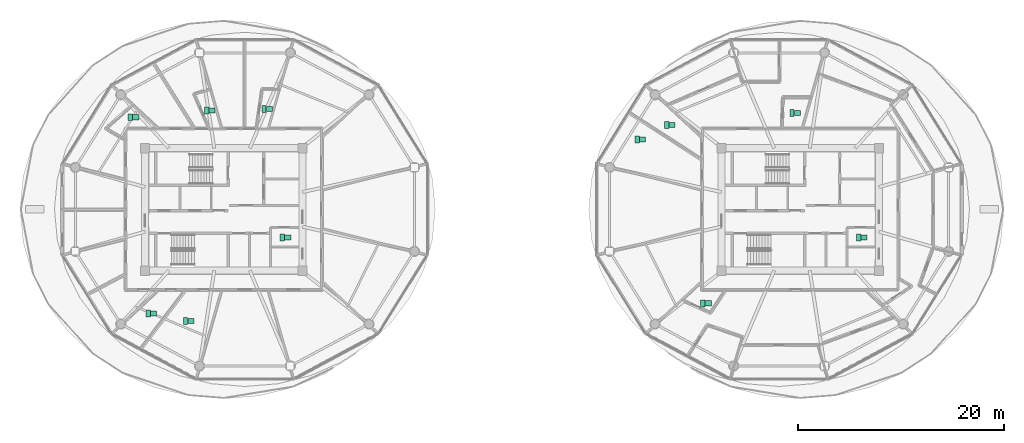
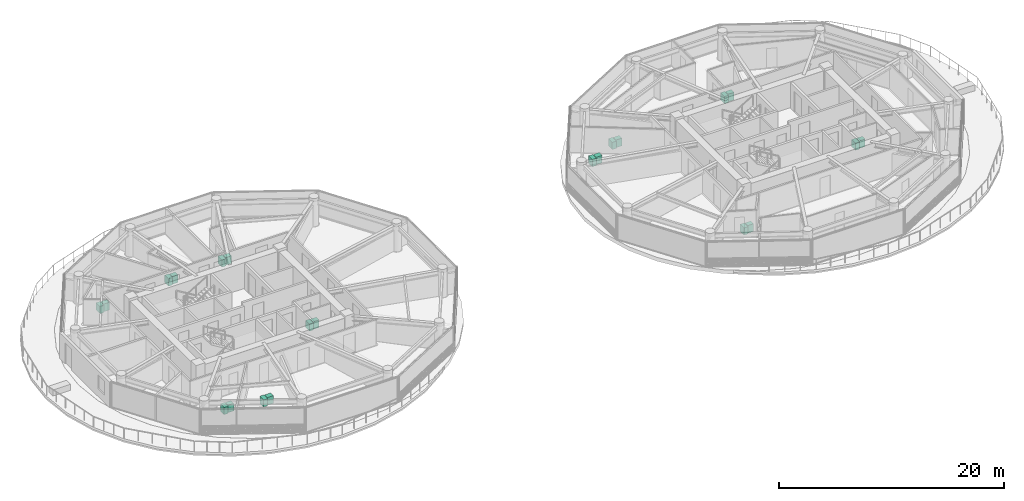
# One storey, part 31 of 32: 22 sanitary terminals.
"""IFC4 building model written with IfcOpenShell, lengths in metres."""

from ifc_helpers import new_model, si_unit, direction, frame, origin, origin_2d, place, context, subcontext, project, spatial, rectangle, extrude, source, transform, mapped, material, type_object, type_shapes, element, save


model = new_model("IFC4")

# Units and contexts
model_context = context("Model", 3, precision=1e-05, world=origin(), true_north=direction((0.0, 1.0)))
body_context = subcontext(model_context, "Body", "Model", "MODEL_VIEW")
ifc_project = project(units=[si_unit("LENGTHUNIT", "METRE"), si_unit("AREAUNIT", "SQUARE_METRE"), si_unit("VOLUMEUNIT", "CUBIC_METRE"), si_unit("PLANEANGLEUNIT", "RADIAN"), si_unit("MASSUNIT", "GRAM", prefix="KILO")], contexts=[model_context])

# Site, building, storey
site_placement = place(None, origin())
site = spatial("IfcSite", under=ifc_project, at=site_placement, CompositionType="ELEMENT")
building_placement = place(site_placement, origin())
building = spatial("IfcBuilding", under=site, at=building_placement, Name="Norrkilde Senior Care Towers", CompositionType="ELEMENT")
storey_placement = place(building_placement, frame((0.0, 0.0, 77.949951171875)))
storey = spatial("IfcBuildingStorey", under=building, at=storey_placement, Name="L23", CompositionType="ELEMENT", Elevation=77.949951171875)

# Sanitary terminals
ifc_material = material(Name="Porcelain Ceramic")
sanitary_terminal_type_1 = type_object("IfcSanitaryTerminalType", Name="Accessible Senior WC Suite", PredefinedType="TOILETPAN", material=ifc_material)
shared_shape_1 = source(origin(), body_context, "Body", "SweptSolid", [
    extrude(rectangle(XDim=0.419921875, YDim=0.679931640625, at=origin_2d()), origin(), (0.0, 0.0, 1.0), 0.780029296875),
])
type_shapes(sanitary_terminal_type_1, [shared_shape_1])
for number, where, z_axis, x_axis, name in (
    (1, (-22.324951171875, -2.715087890625, 0.0), (0.0, 0.0, 1.0), (1.0, 0.0, 0.0), "L23 Accessible WC Pan 0085"),
    (2, (-35.3486328125, -10.1171875, 0.0), (0.0, 0.0, 1.0), (1.0, 0.0, 0.0), "L23 Accessible WC Pan 0086"),
    (3, (-31.72509765625, -10.851806640625, 0.0), (0.0, 0.0, 1.0), (1.0, 0.0, 0.0), "L23 Accessible WC Pan 0087"),
    (4, (-24.092041015625, 9.763671875, 0.0), (0.0, 0.0, 1.0), (1.0, 0.0, 0.0), "L23 Accessible WC Pan 0088"),
    (5, (-29.669677734375, 9.59521484375, 0.0), (0.0, 0.0, 1.0), (1.0, 0.0, 0.0), "L23 Accessible WC Pan 0089"),
    (6, (-37.08740234375, 8.95166015625, 0.0), (0.0, 0.0, 1.0), (1.0, 0.0, 0.0), "L23 Accessible WC Pan 0090"),
    (7, (33.675048828125, -2.715087890625, 0.0), (0.0, 0.0, 1.0), (1.0, 0.0, 0.0), "L23 Accessible WC Pan 0091"),
    (8, (18.541748046875, -9.1259765625, 0.0), (0.0, 0.0, 1.0), (1.0, 0.0, 0.0), "L23 Accessible WC Pan 0092"),
    (9, (27.209716796875, 9.373291015625, 0.0), (0.0, 0.0, 1.0), (1.0, 0.0, 0.0), "L23 Accessible WC Pan 0093"),
    (10, (15.02685546875, 8.203125, 0.0), (0.0, 0.0, 1.0), (1.0, 0.0, 0.0), "L23 Accessible WC Pan 0094"),
    (11, (12.164306640625, 6.77978515625, 0.0), (0.0, 0.0, 1.0), (1.0, 0.0, 0.0), "L23 Accessible WC Pan 0095"),
):
    element("IfcSanitaryTerminal", number, at=place(storey_placement, frame(where, z_axis=z_axis, x_axis=x_axis)), inside=storey, type_object=sanitary_terminal_type_1, Name=name, PredefinedType="TOILETPAN", context=body_context, shape_type="MappedRepresentation", body=[
        mapped(shared_shape_1, transform((0.0, 0.0, 0.0), x_axis=(1.0, 0.0, 0.0), y_axis=(0.0, 1.0, 0.0), z_axis=(0.0, 0.0, 1.0), scale=1.0)),
    ])
sanitary_terminal_type_2 = type_object("IfcSanitaryTerminalType", Name="Thermostatic Care Washbasin", PredefinedType="WASHHANDBASIN", material=ifc_material)
shared_shape_2 = source(origin(), body_context, "Body", "SweptSolid", [
    extrude(rectangle(XDim=0.60009765625, YDim=0.5, at=origin_2d()), origin(), (0.0, 0.0, 1.0), 0.820068359375),
])
type_shapes(sanitary_terminal_type_2, [shared_shape_2])
for number, where, z_axis, x_axis, name in (
    (12, (-21.794921875, -2.715087890625, 0.0), (0.0, 0.0, 1.0), (1.0, 0.0, 0.0), "L23 Accessible Washbasin 0085"),
    (13, (-34.818603515625, -10.1171875, 0.0), (0.0, 0.0, 1.0), (1.0, 0.0, 0.0), "L23 Accessible Washbasin 0086"),
    (14, (-31.1953125, -10.851806640625, 0.0), (0.0, 0.0, 1.0), (1.0, 0.0, 0.0), "L23 Accessible Washbasin 0087"),
    (15, (-23.56201171875, 9.763671875, 0.0), (0.0, 0.0, 1.0), (1.0, 0.0, 0.0), "L23 Accessible Washbasin 0088"),
    (16, (-29.1396484375, 9.59521484375, 0.0), (0.0, 0.0, 1.0), (1.0, 0.0, 0.0), "L23 Accessible Washbasin 0089"),
    (17, (-36.5576171875, 8.95166015625, 0.0), (0.0, 0.0, 1.0), (1.0, 0.0, 0.0), "L23 Accessible Washbasin 0090"),
    (18, (34.205078125, -2.715087890625, 0.0), (0.0, 0.0, 1.0), (1.0, 0.0, 0.0), "L23 Accessible Washbasin 0091"),
    (19, (19.07177734375, -9.1259765625, 0.0), (0.0, 0.0, 1.0), (1.0, 0.0, 0.0), "L23 Accessible Washbasin 0092"),
    (20, (27.73974609375, 9.373291015625, 0.0), (0.0, 0.0, 1.0), (1.0, 0.0, 0.0), "L23 Accessible Washbasin 0093"),
    (21, (15.556884765625, 8.203125, 0.0), (0.0, 0.0, 1.0), (1.0, 0.0, 0.0), "L23 Accessible Washbasin 0094"),
    (22, (12.694091796875, 6.77978515625, 0.0), (0.0, 0.0, 1.0), (1.0, 0.0, 0.0), "L23 Accessible Washbasin 0095"),
):
    element("IfcSanitaryTerminal", number, at=place(storey_placement, frame(where, z_axis=z_axis, x_axis=x_axis)), inside=storey, type_object=sanitary_terminal_type_2, Name=name, PredefinedType="WASHHANDBASIN", context=body_context, shape_type="MappedRepresentation", body=[
        mapped(shared_shape_2, transform((0.0, 0.0, 0.0), x_axis=(1.0, 0.0, 0.0), y_axis=(0.0, 1.0, 0.0), z_axis=(0.0, 0.0, 1.0), scale=1.0)),
    ])

save(model, "model.ifc")
